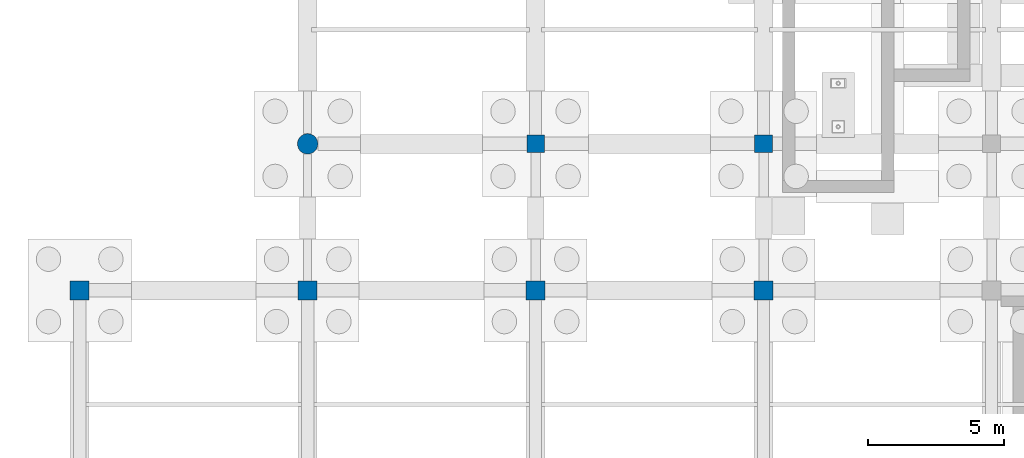
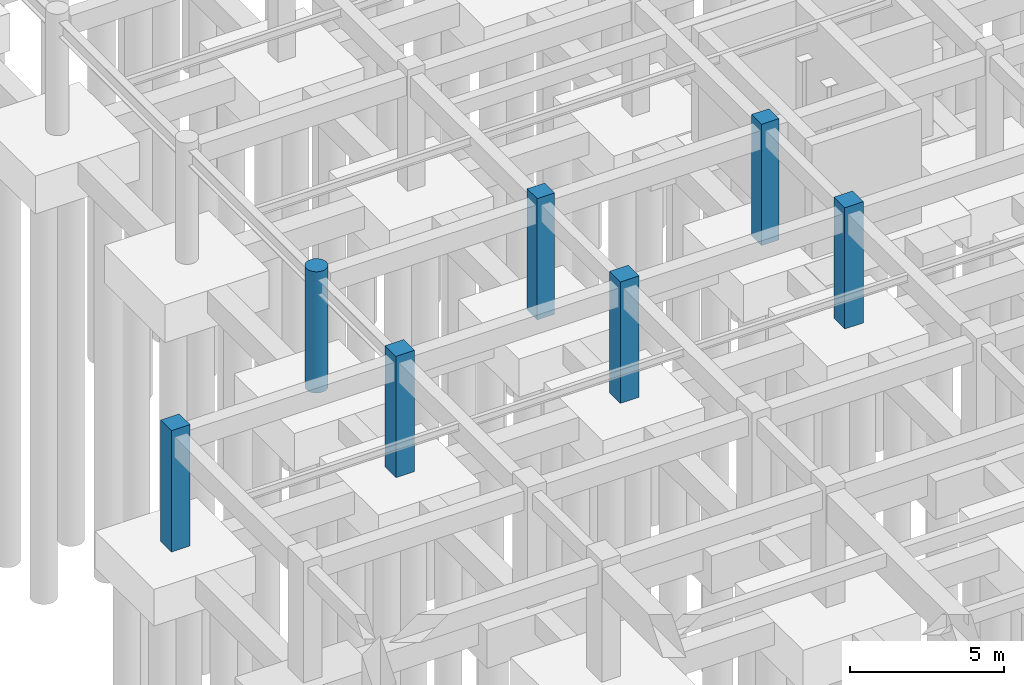
# One storey, part 13 of 49: 7 columns.
"""IFC4 building model written with IfcOpenShell, lengths in metres."""

from ifc_helpers import new_model, si_unit, direction, frame, origin, origin_2d, place, context, subcontext, project, spatial, rectangle, circle, extrude, material, material_profile, profile_set, type_object, element, save


model = new_model("IFC4")

# Units and contexts
model_context = context("Model", 3, precision=1e-05, world=origin(), true_north=direction((0.0, 1.0)))
body_context = subcontext(model_context, "Body", "Model", "MODEL_VIEW")
ifc_project = project(units=[si_unit("LENGTHUNIT", "METRE"), si_unit("AREAUNIT", "SQUARE_METRE"), si_unit("VOLUMEUNIT", "CUBIC_METRE"), si_unit("PLANEANGLEUNIT", "RADIAN"), si_unit("MASSUNIT", "GRAM", prefix="KILO")], contexts=[model_context])

# Site, building, storey
site_placement = place(None, origin())
site = spatial("IfcSite", under=ifc_project, at=site_placement, CompositionType="ELEMENT")
building_placement = place(site_placement, origin())
building = spatial("IfcBuilding", under=site, at=building_placement, Name="Krzemoval Escarpment Law Courts", CompositionType="ELEMENT")
storey_placement = place(building_placement, frame((0.0, 0.0, -4.800048828125)))
storey = spatial("IfcBuildingStorey", under=building, at=storey_placement, Name="B1", CompositionType="ELEMENT", Elevation=-4.800048828125)

# Columns
ifc_material_1 = material(Name="Concrete C40/50", Category="concrete")
ifc_material_profile_1 = material_profile(ifc_material_1, rectangle(XDim=0.64990234375, YDim=0.64990234375, at=origin_2d()), Name="RC 650x650")
ifc_profile_set_1 = profile_set([ifc_material_profile_1], Name="Concrete C40/50")
column_type_1 = type_object("IfcColumnType", Name="COL-RC-650", PredefinedType="COLUMN", material=ifc_profile_set_1)
for number, where, z_axis, x_axis, name in (
    (1, (16.800048828125, 40.800048828125, 0.0), (0.0, 0.0, 1.0), (1.0, 0.0, 0.0), "Column FC-B1-0032"),
    (2, (25.199951171875, 40.800048828125, 0.0), (0.0, 0.0, 1.0), (1.0, 0.0, 0.0), "Column FC-B1-0049"),
):
    element("IfcColumn", number, at=place(storey_placement, frame(where, z_axis=z_axis, x_axis=x_axis)), inside=storey, type_object=column_type_1, Name=name, PredefinedType="COLUMN", context=body_context, shape_type="SweptSolid", body=[
        extrude(rectangle(XDim=0.64990234375, YDim=0.64990234375, at=origin_2d()), origin(), (0.0, 0.0, 1.0), 4.800048828125),
    ])
ifc_material_2 = material(Name="Concrete C40/50", Category="concrete")
ifc_material_profile_2 = material_profile(ifc_material_2, rectangle(XDim=0.699951171875, YDim=0.699951171875, at=origin_2d()), Name="RC 700x700")
ifc_profile_set_2 = profile_set([ifc_material_profile_2], Name="Concrete C40/50")
column_type_2 = type_object("IfcColumnType", Name="COL-RC-700", PredefinedType="COLUMN", material=ifc_profile_set_2)
for number, where, z_axis, x_axis, name in (
    (3, (0.0, 35.39990234375, 0.0), (0.0, 0.0, 1.0), (1.0, 0.0, 0.0), "Column FC-B1-0005"),
    (4, (8.39990234375, 35.39990234375, 0.0), (0.0, 0.0, 1.0), (1.0, 0.0, 0.0), "Column FC-B1-0014"),
    (5, (16.800048828125, 35.39990234375, 0.0), (0.0, 0.0, 1.0), (1.0, 0.0, 0.0), "Column FC-B1-0031"),
    (6, (25.199951171875, 35.39990234375, 0.0), (0.0, 0.0, 1.0), (1.0, 0.0, 0.0), "Column FC-B1-0048"),
):
    element("IfcColumn", number, at=place(storey_placement, frame(where, z_axis=z_axis, x_axis=x_axis)), inside=storey, type_object=column_type_2, Name=name, PredefinedType="COLUMN", context=body_context, shape_type="SweptSolid", body=[
        extrude(rectangle(XDim=0.699951171875, YDim=0.699951171875, at=origin_2d()), origin(), (0.0, 0.0, 1.0), 4.800048828125),
    ])
ifc_material_3 = material(Name="Concrete C40/50", Category="concrete")
ifc_material_profile_3 = material_profile(ifc_material_3, circle(Radius=0.375, at=origin_2d()), Name="RC D750")
ifc_profile_set_3 = profile_set([ifc_material_profile_3], Name="Concrete C40/50")
column_type_3 = type_object("IfcColumnType", Name="COL-RCD-750", PredefinedType="COLUMN", material=ifc_profile_set_3)
column_placement = place(storey_placement, frame((8.39990234375, 40.800048828125, 0.0), z_axis=(0.0, 0.0, 1.0), x_axis=(1.0, 0.0, 0.0)))
element("IfcColumn", 7, at=column_placement, inside=storey, type_object=column_type_3, Name="Column FC-B1-0015", PredefinedType="COLUMN", context=body_context, shape_type="SweptSolid", body=[
    extrude(circle(Radius=0.375, at=origin_2d()), origin(), (0.0, 0.0, 1.0), 4.800048828125),
])

save(model, "model.ifc")
